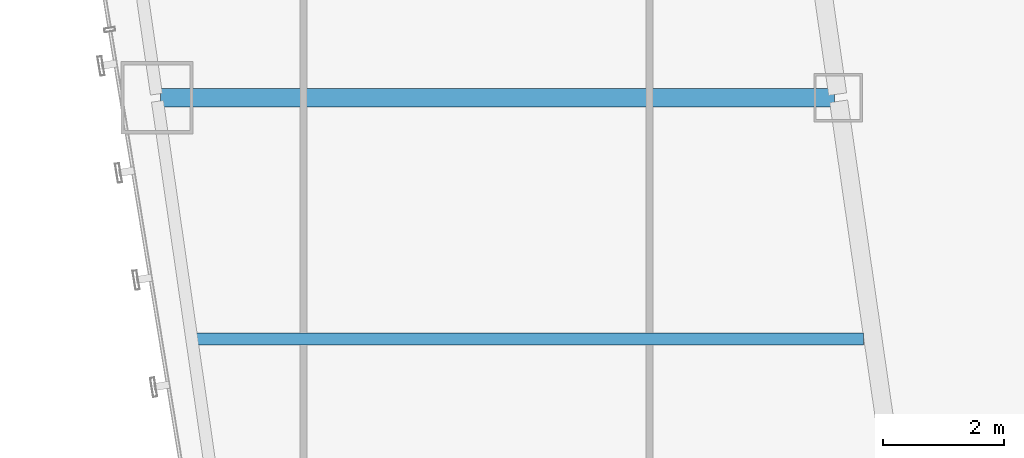
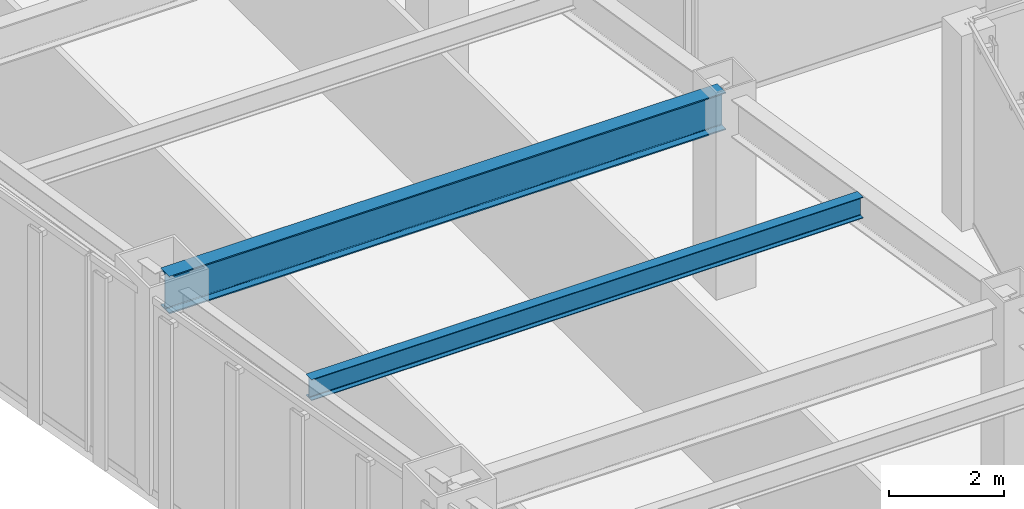
# One storey, part 6 of 47: 2 beams.
"""IFC4 building model written with IfcOpenShell, lengths in metres."""

from ifc_helpers import new_model, si_unit, direction, frame, origin, origin_2d, place, context, subcontext, project, spatial, i_section, extrude, material, material_profile, profile_set, type_object, element, save


model = new_model("IFC4")

# Units and contexts
model_context = context("Model", 3, precision=1e-05, world=origin(), true_north=direction((0.0, 1.0)))
body_context = subcontext(model_context, "Body", "Model", "MODEL_VIEW")
ifc_project = project(units=[si_unit("LENGTHUNIT", "METRE"), si_unit("AREAUNIT", "SQUARE_METRE"), si_unit("VOLUMEUNIT", "CUBIC_METRE"), si_unit("PLANEANGLEUNIT", "RADIAN"), si_unit("MASSUNIT", "GRAM", prefix="KILO")], contexts=[model_context])

# Site, building, storey
site_placement = place(None, origin())
site = spatial("IfcSite", under=ifc_project, at=site_placement, CompositionType="ELEMENT")
building_placement = place(site_placement, origin())
building = spatial("IfcBuilding", under=site, at=building_placement, Name="Saevonmaru Cultural Tower", CompositionType="ELEMENT")
storey_placement = place(building_placement, frame((0.0, 0.0, 47.199951171875)))
storey = spatial("IfcBuildingStorey", under=building, at=storey_placement, Name="L09", CompositionType="ELEMENT", Elevation=47.199951171875)

# Beams
ifc_material_1 = material(Name="Steel SM420", Category="steel")
ifc_material_profile_1 = material_profile(ifc_material_1, i_section(OverallWidth=0.300048828125, OverallDepth=0.800048828125, WebThickness=0.013916015625, FlangeThickness=0.02587890625, FilletRadius=0.028076171875, at=origin_2d()), Name="H-800x300x14x26")
ifc_profile_set_1 = profile_set([ifc_material_profile_1], Name="Steel SM420")
beam_type_1 = type_object("IfcBeamType", Name="BM-G-H800", PredefinedType="BEAM", material=ifc_profile_set_1)
beam_1_placement = place(storey_placement, frame((10.68798828125, 16.0, 3.75), z_axis=(1.0, 0.0, 0.0), x_axis=(0.0, 1.0, 0.0)))
element("IfcBeam", 1, at=beam_1_placement, inside=storey, type_object=beam_type_1, Name="L09 West Wing Transverse Girder 3", PredefinedType="BEAM", context=body_context, shape_type="SweptSolid", body=[
    extrude(i_section(OverallWidth=0.300048828125, OverallDepth=0.800048828125, WebThickness=0.013916015625, FlangeThickness=0.02587890625, FilletRadius=0.028076171875, at=origin_2d()), origin(), (0.0, 0.0, 1.0), 11.179931640625),
])
ifc_material_2 = material(Name="Steel SM355", Category="steel")
ifc_material_profile_2 = material_profile(ifc_material_2, i_section(OverallWidth=0.199951171875, OverallDepth=0.449951171875, WebThickness=0.009033203125, FlangeThickness=0.013916015625, FilletRadius=0.01806640625, at=origin_2d()), Name="H-450x200x9x14")
ifc_profile_set_2 = profile_set([ifc_material_profile_2], Name="Steel SM355")
beam_type_2 = type_object("IfcBeamType", Name="BM-J-H450", PredefinedType="JOIST", material=ifc_profile_set_2)
beam_2_placement = place(storey_placement, frame((11.265380859375, 12.0, 3.925048828125), z_axis=(1.0, 0.0, 0.0), x_axis=(0.0, 1.0, 0.0)))
element("IfcBeam", 2, at=beam_2_placement, inside=storey, type_object=beam_type_2, Name="L09 West Wing Floor Joist 2", PredefinedType="JOIST", context=body_context, shape_type="SweptSolid", body=[
    extrude(i_section(OverallWidth=0.199951171875, OverallDepth=0.449951171875, WebThickness=0.009033203125, FlangeThickness=0.013916015625, FilletRadius=0.01806640625, at=origin_2d()), origin(), (0.0, 0.0, 1.0), 11.08203125),
])

save(model, "model.ifc")
